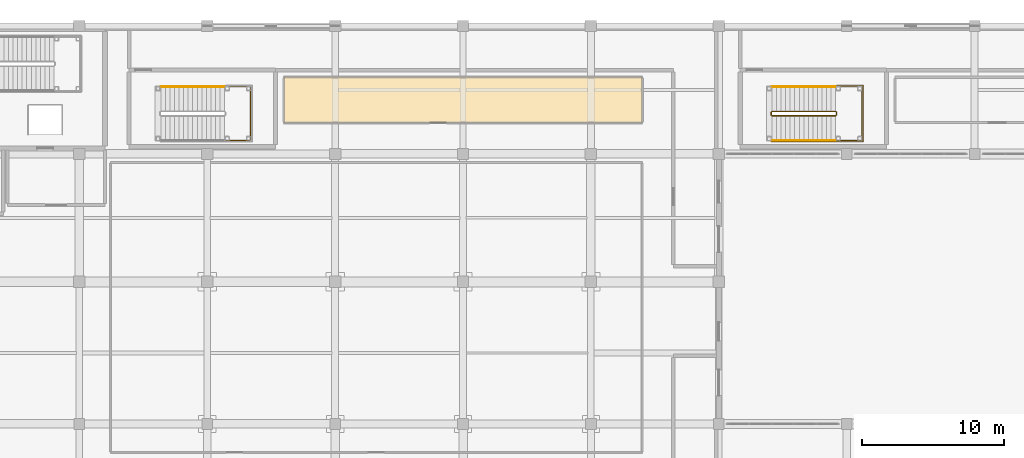
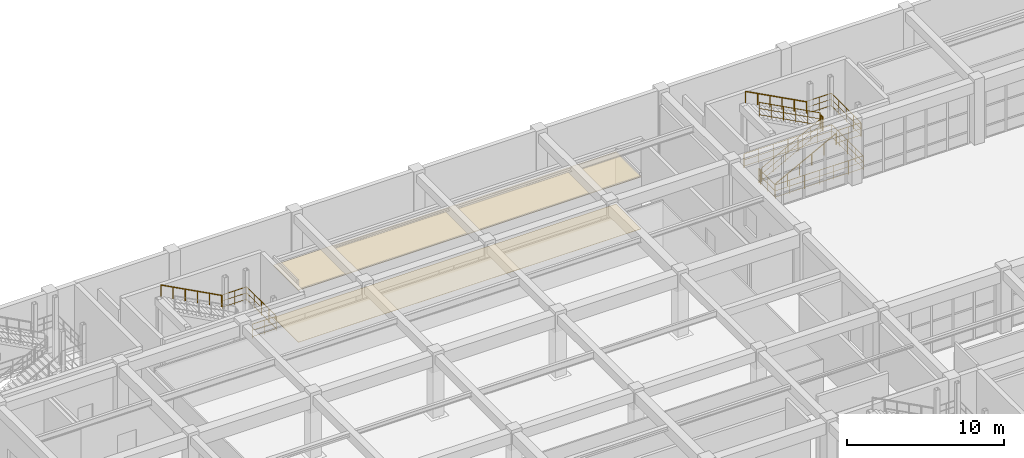
# One storey, part 127 of 128: 10 railings, 2 coverings.
"""IFC4 building model written with IfcOpenShell, lengths in metres."""

from ifc_helpers import new_model, si_unit, direction, frame, origin, origin_2d, place, context, subcontext, project, spatial, polyline, circle, outline, extrude, material, layer, layer_set, type_object, element, save


model = new_model("IFC4")

# Units and contexts
model_context = context("Model", 3, precision=1e-05, world=origin(), true_north=direction((0.0, 1.0)))
body_context = subcontext(model_context, "Body", "Model", "MODEL_VIEW")
ifc_project = project(units=[si_unit("LENGTHUNIT", "METRE"), si_unit("AREAUNIT", "SQUARE_METRE"), si_unit("VOLUMEUNIT", "CUBIC_METRE"), si_unit("PLANEANGLEUNIT", "RADIAN"), si_unit("MASSUNIT", "GRAM", prefix="KILO")], contexts=[model_context])

# Site, building, storey
site_placement = place(None, origin())
site = spatial("IfcSite", under=ifc_project, at=site_placement, CompositionType="ELEMENT")
building_placement = place(site_placement, origin())
building = spatial("IfcBuilding", under=site, at=building_placement, Name="Miravela Opera House", CompositionType="ELEMENT")
storey_placement = place(building_placement, origin())
storey = spatial("IfcBuildingStorey", under=building, at=storey_placement, Name="L00", CompositionType="ELEMENT", Elevation=0.0)

# Coverings
ifc_material_1 = material(Name="Mineral-wool studio acoustic ceiling cloud")
ifc_layer_1 = layer(ifc_material_1, 0.050048828125)
ifc_layer_set_1 = layer_set([ifc_layer_1])
covering_type_1 = type_object("IfcCoveringType", Name="ARC-CEIL-BAFFLE-50", PredefinedType="CEILING", material=ifc_layer_set_1)
covering_1_placement = place(storey_placement, frame((0.0, 0.0, 4.050048828125)))
element("IfcCovering", 1, at=covering_1_placement, inside=storey, type_object=covering_type_1, Name="Percussion and Brass Rehearsal Studio Acoustic Ceiling", PredefinedType="CEILING", context=body_context, shape_type="SweptSolid", body=[
    extrude(outline(polyline([(86.39990234375, 105.199951171875), (111.60009765625, 105.199951171875), (111.60009765625, 108.39990234375), (86.39990234375, 108.39990234375), (86.39990234375, 105.199951171875)])), origin(), (0.0, 0.0, 1.0), 0.050048828125),
])
ifc_material_2 = material(Name="Acoustic oiled mahogany auditorium flooring")
ifc_layer_2 = layer(ifc_material_2, 0.01904296875)
ifc_layer_set_2 = layer_set([ifc_layer_2])
covering_type_2 = type_object("IfcCoveringType", Name="ARC-FLR-HARDWOOD-19", PredefinedType="FLOORING", material=ifc_layer_set_2)
covering_2_placement = place(storey_placement, origin())
element("IfcCovering", 2, at=covering_2_placement, inside=storey, type_object=covering_type_2, Name="Percussion and Brass Rehearsal Studio Finish Flooring", PredefinedType="FLOORING", context=body_context, shape_type="SweptSolid", body=[
    extrude(outline(polyline([(86.39990234375, 105.199951171875), (111.60009765625, 105.199951171875), (111.60009765625, 108.39990234375), (86.39990234375, 108.39990234375), (86.39990234375, 105.199951171875)])), origin(), (0.0, 0.0, 1.0), 0.01904296875),
])

# Railings
ifc_material_3 = material(Name="Brushed bronze continuous stair handrail")
railing_type_1 = type_object("IfcRailingType", Name="ARC-RAIL-HAND-900", PredefinedType="HANDRAIL", material=ifc_material_3)
railing_1_placement = place(storey_placement, frame((82.219970703125, 107.72998046875, 2.719970703125)))
element("IfcRailing", 3, at=railing_1_placement, inside=storey, type_object=railing_type_1, Name="L00 ST-07 stair handrail 2", PredefinedType="HANDRAIL", context=body_context, shape_type="SweptSolid", body=[
    extrude(circle(Radius=0.02392578125, at=origin_2d()), frame((0.0, 0.0, 0.8759765625), z_axis=(-0.883104503341, 0.0, 0.469176338042), x_axis=(0.0, -1.0, 0.0)), (0.0, 0.0, 1.0), 5.072998046875),
    extrude(circle(Radius=0.02099609375, at=origin_2d()), origin(), (0.0, 0.0, 1.0), 0.851806640625),
    extrude(circle(Radius=0.02099609375, at=origin_2d()), frame((-0.89599609375, 0.0, 0.47607421875)), (0.0, 0.0, 1.0), 0.851806640625),
    extrude(circle(Radius=0.02099609375, at=origin_2d()), frame((-1.7919921875, 0.0, 0.9521484375)), (0.0, 0.0, 1.0), 0.851806640625),
    extrude(circle(Radius=0.02099609375, at=origin_2d()), frame((-2.68798828125, 0.0, 1.427978515625)), (0.0, 0.0, 1.0), 0.851806640625),
    extrude(circle(Radius=0.02099609375, at=origin_2d()), frame((-3.583984375, 0.0, 1.904052734375)), (0.0, 0.0, 1.0), 0.851806640625),
    extrude(circle(Radius=0.02099609375, at=origin_2d()), frame((-4.47998046875, 0.0, 2.380126953125)), (0.0, 0.0, 1.0), 0.851806640625),
])
railing_2_placement = place(storey_placement, frame((120.739990234375, 103.949951171875, 0.169921875)))
element("IfcRailing", 4, at=railing_2_placement, inside=storey, type_object=railing_type_1, Name="L00 ST-09 stair handrail 1", PredefinedType="HANDRAIL", context=body_context, shape_type="SweptSolid", body=[
    extrude(circle(Radius=0.02392578125, at=origin_2d()), frame((0.0, 0.0, 0.8759765625), z_axis=(0.883104503341, 0.0, 0.469176338042), x_axis=(0.0, 1.0, 0.0)), (0.0, 0.0, 1.0), 5.072998046875),
    extrude(circle(Radius=0.02099609375, at=origin_2d()), origin(), (0.0, 0.0, 1.0), 0.851806640625),
    extrude(circle(Radius=0.02099609375, at=origin_2d()), frame((0.89599609375, 0.0, 0.47607421875)), (0.0, 0.0, 1.0), 0.851806640625),
    extrude(circle(Radius=0.02099609375, at=origin_2d()), frame((1.7919921875, 0.0, 0.9521484375)), (0.0, 0.0, 1.0), 0.851806640625),
    extrude(circle(Radius=0.02099609375, at=origin_2d()), frame((2.68798828125, 0.0, 1.427978515625)), (0.0, 0.0, 1.0), 0.851806640625),
    extrude(circle(Radius=0.02099609375, at=origin_2d()), frame((3.583984375, 0.0, 1.904052734375)), (0.0, 0.0, 1.0), 0.851806640625),
    extrude(circle(Radius=0.02099609375, at=origin_2d()), frame((4.47998046875, 0.0, 2.380126953125)), (0.0, 0.0, 1.0), 0.851806640625),
])
railing_3_placement = place(storey_placement, frame((125.219970703125, 107.72998046875, 2.719970703125)))
element("IfcRailing", 5, at=railing_3_placement, inside=storey, type_object=railing_type_1, Name="L00 ST-09 stair handrail 2", PredefinedType="HANDRAIL", context=body_context, shape_type="SweptSolid", body=[
    extrude(circle(Radius=0.02392578125, at=origin_2d()), frame((0.0, 0.0, 0.8759765625), z_axis=(-0.883104503341, 0.0, 0.469176338042), x_axis=(0.0, -1.0, 0.0)), (0.0, 0.0, 1.0), 5.072998046875),
    extrude(circle(Radius=0.02099609375, at=origin_2d()), origin(), (0.0, 0.0, 1.0), 0.851806640625),
    extrude(circle(Radius=0.02099609375, at=origin_2d()), frame((-0.89599609375, 0.0, 0.47607421875)), (0.0, 0.0, 1.0), 0.851806640625),
    extrude(circle(Radius=0.02099609375, at=origin_2d()), frame((-1.7919921875, 0.0, 0.9521484375)), (0.0, 0.0, 1.0), 0.851806640625),
    extrude(circle(Radius=0.02099609375, at=origin_2d()), frame((-2.68798828125, 0.0, 1.427978515625)), (0.0, 0.0, 1.0), 0.851806640625),
    extrude(circle(Radius=0.02099609375, at=origin_2d()), frame((-3.583984375, 0.0, 1.904052734375)), (0.0, 0.0, 1.0), 0.851806640625),
    extrude(circle(Radius=0.02099609375, at=origin_2d()), frame((-4.47998046875, 0.0, 2.380126953125)), (0.0, 0.0, 1.0), 0.851806640625),
])
ifc_material_4 = material(Name="Painted wrought-iron stair guardrail")
railing_type_2 = type_object("IfcRailingType", Name="ARC-RAIL-STAIR-GUARD", PredefinedType="GUARDRAIL", material=ifc_material_4)
railing_4_placement = place(storey_placement, frame((82.27001953125, 103.949951171875, 2.550048828125)))
element("IfcRailing", 6, at=railing_4_placement, inside=storey, type_object=railing_type_2, Name="Stair ST-07 Half-Landing Perimeter Guard (L00) 0068", PredefinedType="GUARDRAIL", context=body_context, shape_type="SweptSolid", body=[
    extrude(circle(Radius=0.02392578125, at=origin_2d()), frame((0.0, 0.0, 1.076171875), z_axis=(1.0, 0.0, 0.0), x_axis=(0.0, 1.0, 0.0)), (0.0, 0.0, 1.0), 1.780029296875),
    extrude(circle(Radius=0.01611328125, at=origin_2d()), frame((0.0, 0.0, 0.60498046875), z_axis=(1.0, 0.0, 0.0), x_axis=(0.0, 1.0, 0.0)), (0.0, 0.0, 1.0), 1.780029296875),
    extrude(circle(Radius=0.01611328125, at=origin_2d()), frame((0.0, 0.0, 0.1201171875), z_axis=(1.0, 0.0, 0.0), x_axis=(0.0, 1.0, 0.0)), (0.0, 0.0, 1.0), 1.780029296875),
    extrude(circle(Radius=0.02392578125, at=origin_2d()), frame((1.780029296875, 0.0, 1.076171875), z_axis=(0.0, 1.0, 0.0), x_axis=(-1.0, 0.0, 0.0)), (0.0, 0.0, 1.0), 3.780029296875),
    extrude(circle(Radius=0.01611328125, at=origin_2d()), frame((1.780029296875, 0.0, 0.60498046875), z_axis=(0.0, 1.0, 0.0), x_axis=(-1.0, 0.0, 0.0)), (0.0, 0.0, 1.0), 3.780029296875),
    extrude(circle(Radius=0.01611328125, at=origin_2d()), frame((1.780029296875, 0.0, 0.1201171875), z_axis=(0.0, 1.0, 0.0), x_axis=(-1.0, 0.0, 0.0)), (0.0, 0.0, 1.0), 3.780029296875),
    extrude(circle(Radius=0.02392578125, at=origin_2d()), frame((1.780029296875, 3.780029296875, 1.076171875), z_axis=(-1.0, 0.0, 0.0), x_axis=(0.0, -1.0, 0.0)), (0.0, 0.0, 1.0), 1.780029296875),
    extrude(circle(Radius=0.01611328125, at=origin_2d()), frame((1.780029296875, 3.780029296875, 0.60498046875), z_axis=(-1.0, 0.0, 0.0), x_axis=(0.0, -1.0, 0.0)), (0.0, 0.0, 1.0), 1.780029296875),
    extrude(circle(Radius=0.01611328125, at=origin_2d()), frame((1.780029296875, 3.780029296875, 0.1201171875), z_axis=(-1.0, 0.0, 0.0), x_axis=(0.0, -1.0, 0.0)), (0.0, 0.0, 1.0), 1.780029296875),
    extrude(circle(Radius=0.02099609375, at=origin_2d()), origin(), (0.0, 0.0, 1.0), 1.052001953125),
    extrude(circle(Radius=0.02099609375, at=origin_2d()), frame((0.89013671875, 0.0, 0.0)), (0.0, 0.0, 1.0), 1.052001953125),
    extrude(circle(Radius=0.02099609375, at=origin_2d()), frame((1.780029296875, 0.0, 0.0)), (0.0, 0.0, 1.0), 1.052001953125),
    extrude(circle(Radius=0.02099609375, at=origin_2d()), frame((1.780029296875, 0.945068359375, 0.0)), (0.0, 0.0, 1.0), 1.052001953125),
    extrude(circle(Radius=0.02099609375, at=origin_2d()), frame((1.780029296875, 1.89013671875, 0.0)), (0.0, 0.0, 1.0), 1.052001953125),
    extrude(circle(Radius=0.02099609375, at=origin_2d()), frame((1.780029296875, 2.8349609375, 0.0)), (0.0, 0.0, 1.0), 1.052001953125),
    extrude(circle(Radius=0.02099609375, at=origin_2d()), frame((1.780029296875, 3.780029296875, 0.0)), (0.0, 0.0, 1.0), 1.052001953125),
    extrude(circle(Radius=0.02099609375, at=origin_2d()), frame((0.89013671875, 3.780029296875, 0.0)), (0.0, 0.0, 1.0), 1.052001953125),
    extrude(circle(Radius=0.02099609375, at=origin_2d()), frame((0.0, 3.780029296875, 0.0)), (0.0, 0.0, 1.0), 1.052001953125),
])
railing_5_placement = place(storey_placement, frame((120.739990234375, 105.68994140625, 0.169921875)))
element("IfcRailing", 7, at=railing_5_placement, inside=storey, type_object=railing_type_2, Name="L00 ST-09 stair guard 1", PredefinedType="GUARDRAIL", context=body_context, shape_type="SweptSolid", body=[
    extrude(circle(Radius=0.02392578125, at=origin_2d()), frame((0.0, 0.0, 1.076171875), z_axis=(0.883104503341, 0.0, 0.469176338042), x_axis=(0.0, 1.0, 0.0)), (0.0, 0.0, 1.0), 5.072998046875),
    extrude(circle(Radius=0.01611328125, at=origin_2d()), frame((0.0, 0.0, 0.60498046875), z_axis=(0.883104503341, 0.0, 0.469176338042), x_axis=(0.0, 1.0, 0.0)), (0.0, 0.0, 1.0), 5.072998046875),
    extrude(circle(Radius=0.01611328125, at=origin_2d()), frame((0.0, 0.0, 0.1201171875), z_axis=(0.883104503341, 0.0, 0.469176338042), x_axis=(0.0, 1.0, 0.0)), (0.0, 0.0, 1.0), 5.072998046875),
    extrude(circle(Radius=0.02099609375, at=origin_2d()), origin(), (0.0, 0.0, 1.0), 1.052001953125),
    extrude(circle(Radius=0.02099609375, at=origin_2d()), frame((0.89599609375, 0.0, 0.47607421875)), (0.0, 0.0, 1.0), 1.052001953125),
    extrude(circle(Radius=0.02099609375, at=origin_2d()), frame((1.7919921875, 0.0, 0.9521484375)), (0.0, 0.0, 1.0), 1.052001953125),
    extrude(circle(Radius=0.02099609375, at=origin_2d()), frame((2.68798828125, 0.0, 1.427978515625)), (0.0, 0.0, 1.0), 1.052001953125),
    extrude(circle(Radius=0.02099609375, at=origin_2d()), frame((3.583984375, 0.0, 1.904052734375)), (0.0, 0.0, 1.0), 1.052001953125),
    extrude(circle(Radius=0.02099609375, at=origin_2d()), frame((4.47998046875, 0.0, 2.380126953125)), (0.0, 0.0, 1.0), 1.052001953125),
])
railing_6_placement = place(storey_placement, frame((125.27001953125, 105.739990234375, 2.550048828125)))
element("IfcRailing", 8, at=railing_6_placement, inside=storey, type_object=railing_type_2, Name="L00 ST-09 stair guard 2", PredefinedType="GUARDRAIL", context=body_context, shape_type="SweptSolid", body=[
    extrude(circle(Radius=0.02392578125, at=origin_2d()), frame((0.0, 0.0, 1.076171875), z_axis=(0.0, 1.0, 0.0), x_axis=(-1.0, 0.0, 0.0)), (0.0, 0.0, 1.0), 0.199951171875),
    extrude(circle(Radius=0.01611328125, at=origin_2d()), frame((0.0, 0.0, 0.60498046875), z_axis=(0.0, 1.0, 0.0), x_axis=(-1.0, 0.0, 0.0)), (0.0, 0.0, 1.0), 0.199951171875),
    extrude(circle(Radius=0.01611328125, at=origin_2d()), frame((0.0, 0.0, 0.1201171875), z_axis=(0.0, 1.0, 0.0), x_axis=(-1.0, 0.0, 0.0)), (0.0, 0.0, 1.0), 0.199951171875),
    extrude(circle(Radius=0.02099609375, at=origin_2d()), origin(), (0.0, 0.0, 1.0), 1.052001953125),
    extrude(circle(Radius=0.02099609375, at=origin_2d()), frame((0.0, 0.199951171875, 0.0)), (0.0, 0.0, 1.0), 1.052001953125),
])
railing_7_placement = place(storey_placement, frame((125.219970703125, 105.989990234375, 2.719970703125)))
element("IfcRailing", 9, at=railing_7_placement, inside=storey, type_object=railing_type_2, Name="L00 ST-09 stair guard 3", PredefinedType="GUARDRAIL", context=body_context, shape_type="SweptSolid", body=[
    extrude(circle(Radius=0.02392578125, at=origin_2d()), frame((0.0, 0.0, 1.076171875), z_axis=(-0.883104503341, 0.0, 0.469176338042), x_axis=(0.0, -1.0, 0.0)), (0.0, 0.0, 1.0), 5.072998046875),
    extrude(circle(Radius=0.01611328125, at=origin_2d()), frame((0.0, 0.0, 0.60498046875), z_axis=(-0.883104503341, 0.0, 0.469176338042), x_axis=(0.0, -1.0, 0.0)), (0.0, 0.0, 1.0), 5.072998046875),
    extrude(circle(Radius=0.01611328125, at=origin_2d()), frame((0.0, 0.0, 0.1201171875), z_axis=(-0.883104503341, 0.0, 0.469176338042), x_axis=(0.0, -1.0, 0.0)), (0.0, 0.0, 1.0), 5.072998046875),
    extrude(circle(Radius=0.02099609375, at=origin_2d()), origin(), (0.0, 0.0, 1.0), 1.052001953125),
    extrude(circle(Radius=0.02099609375, at=origin_2d()), frame((-0.89599609375, 0.0, 0.47607421875)), (0.0, 0.0, 1.0), 1.052001953125),
    extrude(circle(Radius=0.02099609375, at=origin_2d()), frame((-1.7919921875, 0.0, 0.9521484375)), (0.0, 0.0, 1.0), 1.052001953125),
    extrude(circle(Radius=0.02099609375, at=origin_2d()), frame((-2.68798828125, 0.0, 1.427978515625)), (0.0, 0.0, 1.0), 1.052001953125),
    extrude(circle(Radius=0.02099609375, at=origin_2d()), frame((-3.583984375, 0.0, 1.904052734375)), (0.0, 0.0, 1.0), 1.052001953125),
    extrude(circle(Radius=0.02099609375, at=origin_2d()), frame((-4.47998046875, 0.0, 2.380126953125)), (0.0, 0.0, 1.0), 1.052001953125),
])
railing_8_placement = place(storey_placement, frame((120.68994140625, 105.739990234375, 0.0)))
element("IfcRailing", 10, at=railing_8_placement, inside=storey, type_object=railing_type_2, Name="L00 ST-09 stair guard 4", PredefinedType="GUARDRAIL", context=body_context, shape_type="SweptSolid", body=[
    extrude(circle(Radius=0.02392578125, at=origin_2d()), frame((0.0, 0.0, 1.076171875), z_axis=(0.0, 1.0, 0.0), x_axis=(-1.0, 0.0, 0.0)), (0.0, 0.0, 1.0), 0.199951171875),
    extrude(circle(Radius=0.01611328125, at=origin_2d()), frame((0.0, 0.0, 0.60498046875), z_axis=(0.0, 1.0, 0.0), x_axis=(-1.0, 0.0, 0.0)), (0.0, 0.0, 1.0), 0.199951171875),
    extrude(circle(Radius=0.01611328125, at=origin_2d()), frame((0.0, 0.0, 0.1201171875), z_axis=(0.0, 1.0, 0.0), x_axis=(-1.0, 0.0, 0.0)), (0.0, 0.0, 1.0), 0.199951171875),
    extrude(circle(Radius=0.02099609375, at=origin_2d()), origin(), (0.0, 0.0, 1.0), 1.052001953125),
    extrude(circle(Radius=0.02099609375, at=origin_2d()), frame((0.0, 0.199951171875, 0.0)), (0.0, 0.0, 1.0), 1.052001953125),
])
railing_9_placement = place(storey_placement, frame((125.27001953125, 103.949951171875, 2.550048828125)))
element("IfcRailing", 11, at=railing_9_placement, inside=storey, type_object=railing_type_2, Name="Stair ST-09 Half-Landing Perimeter Guard (L00) 0082", PredefinedType="GUARDRAIL", context=body_context, shape_type="SweptSolid", body=[
    extrude(circle(Radius=0.02392578125, at=origin_2d()), frame((0.0, 0.0, 1.076171875), z_axis=(1.0, 0.0, 0.0), x_axis=(0.0, 1.0, 0.0)), (0.0, 0.0, 1.0), 1.780029296875),
    extrude(circle(Radius=0.01611328125, at=origin_2d()), frame((0.0, 0.0, 0.60498046875), z_axis=(1.0, 0.0, 0.0), x_axis=(0.0, 1.0, 0.0)), (0.0, 0.0, 1.0), 1.780029296875),
    extrude(circle(Radius=0.01611328125, at=origin_2d()), frame((0.0, 0.0, 0.1201171875), z_axis=(1.0, 0.0, 0.0), x_axis=(0.0, 1.0, 0.0)), (0.0, 0.0, 1.0), 1.780029296875),
    extrude(circle(Radius=0.02392578125, at=origin_2d()), frame((1.780029296875, 0.0, 1.076171875), z_axis=(0.0, 1.0, 0.0), x_axis=(-1.0, 0.0, 0.0)), (0.0, 0.0, 1.0), 3.780029296875),
    extrude(circle(Radius=0.01611328125, at=origin_2d()), frame((1.780029296875, 0.0, 0.60498046875), z_axis=(0.0, 1.0, 0.0), x_axis=(-1.0, 0.0, 0.0)), (0.0, 0.0, 1.0), 3.780029296875),
    extrude(circle(Radius=0.01611328125, at=origin_2d()), frame((1.780029296875, 0.0, 0.1201171875), z_axis=(0.0, 1.0, 0.0), x_axis=(-1.0, 0.0, 0.0)), (0.0, 0.0, 1.0), 3.780029296875),
    extrude(circle(Radius=0.02392578125, at=origin_2d()), frame((1.780029296875, 3.780029296875, 1.076171875), z_axis=(-1.0, 0.0, 0.0), x_axis=(0.0, -1.0, 0.0)), (0.0, 0.0, 1.0), 1.780029296875),
    extrude(circle(Radius=0.01611328125, at=origin_2d()), frame((1.780029296875, 3.780029296875, 0.60498046875), z_axis=(-1.0, 0.0, 0.0), x_axis=(0.0, -1.0, 0.0)), (0.0, 0.0, 1.0), 1.780029296875),
    extrude(circle(Radius=0.01611328125, at=origin_2d()), frame((1.780029296875, 3.780029296875, 0.1201171875), z_axis=(-1.0, 0.0, 0.0), x_axis=(0.0, -1.0, 0.0)), (0.0, 0.0, 1.0), 1.780029296875),
    extrude(circle(Radius=0.02099609375, at=origin_2d()), origin(), (0.0, 0.0, 1.0), 1.052001953125),
    extrude(circle(Radius=0.02099609375, at=origin_2d()), frame((0.89013671875, 0.0, 0.0)), (0.0, 0.0, 1.0), 1.052001953125),
    extrude(circle(Radius=0.02099609375, at=origin_2d()), frame((1.780029296875, 0.0, 0.0)), (0.0, 0.0, 1.0), 1.052001953125),
    extrude(circle(Radius=0.02099609375, at=origin_2d()), frame((1.780029296875, 0.945068359375, 0.0)), (0.0, 0.0, 1.0), 1.052001953125),
    extrude(circle(Radius=0.02099609375, at=origin_2d()), frame((1.780029296875, 1.89013671875, 0.0)), (0.0, 0.0, 1.0), 1.052001953125),
    extrude(circle(Radius=0.02099609375, at=origin_2d()), frame((1.780029296875, 2.8349609375, 0.0)), (0.0, 0.0, 1.0), 1.052001953125),
    extrude(circle(Radius=0.02099609375, at=origin_2d()), frame((1.780029296875, 3.780029296875, 0.0)), (0.0, 0.0, 1.0), 1.052001953125),
    extrude(circle(Radius=0.02099609375, at=origin_2d()), frame((0.89013671875, 3.780029296875, 0.0)), (0.0, 0.0, 1.0), 1.052001953125),
    extrude(circle(Radius=0.02099609375, at=origin_2d()), frame((0.0, 3.780029296875, 0.0)), (0.0, 0.0, 1.0), 1.052001953125),
])
railing_10_placement = place(storey_placement, frame((120.68994140625, 105.77001953125, 0.0)))
element("IfcRailing", 12, at=railing_10_placement, inside=storey, type_object=railing_type_2, Name="Stair ST-09 Well Slab Opening Guard (L00) 0084", PredefinedType="GUARDRAIL", context=body_context, shape_type="SweptSolid", body=[
    extrude(circle(Radius=0.02392578125, at=origin_2d()), frame((0.0, 0.0, 1.076171875), z_axis=(0.0, -1.0, 0.0), x_axis=(1.0, 0.0, 0.0)), (0.0, 0.0, 1.0), 1.919921875),
    extrude(circle(Radius=0.01611328125, at=origin_2d()), frame((0.0, 0.0, 0.60498046875), z_axis=(0.0, -1.0, 0.0), x_axis=(1.0, 0.0, 0.0)), (0.0, 0.0, 1.0), 1.919921875),
    extrude(circle(Radius=0.01611328125, at=origin_2d()), frame((0.0, 0.0, 0.1201171875), z_axis=(0.0, -1.0, 0.0), x_axis=(1.0, 0.0, 0.0)), (0.0, 0.0, 1.0), 1.919921875),
    extrude(circle(Radius=0.02392578125, at=origin_2d()), frame((0.0, -1.919921875, 1.076171875), z_axis=(1.0, 0.0, 0.0), x_axis=(0.0, 1.0, 0.0)), (0.0, 0.0, 1.0), 6.4599609375),
    extrude(circle(Radius=0.01611328125, at=origin_2d()), frame((0.0, -1.919921875, 0.60498046875), z_axis=(1.0, 0.0, 0.0), x_axis=(0.0, 1.0, 0.0)), (0.0, 0.0, 1.0), 6.4599609375),
    extrude(circle(Radius=0.01611328125, at=origin_2d()), frame((0.0, -1.919921875, 0.1201171875), z_axis=(1.0, 0.0, 0.0), x_axis=(0.0, 1.0, 0.0)), (0.0, 0.0, 1.0), 6.4599609375),
    extrude(circle(Radius=0.02392578125, at=origin_2d()), frame((6.4599609375, -1.919921875, 1.076171875), z_axis=(0.0, 1.0, 0.0), x_axis=(-1.0, 0.0, 0.0)), (0.0, 0.0, 1.0), 3.97998046875),
    extrude(circle(Radius=0.01611328125, at=origin_2d()), frame((6.4599609375, -1.919921875, 0.60498046875), z_axis=(0.0, 1.0, 0.0), x_axis=(-1.0, 0.0, 0.0)), (0.0, 0.0, 1.0), 3.97998046875),
    extrude(circle(Radius=0.01611328125, at=origin_2d()), frame((6.4599609375, -1.919921875, 0.1201171875), z_axis=(0.0, 1.0, 0.0), x_axis=(-1.0, 0.0, 0.0)), (0.0, 0.0, 1.0), 3.97998046875),
    extrude(circle(Radius=0.02392578125, at=origin_2d()), frame((6.4599609375, 2.06005859375, 1.076171875), z_axis=(-1.0, 0.0, 0.0), x_axis=(0.0, -1.0, 0.0)), (0.0, 0.0, 1.0), 6.4599609375),
    extrude(circle(Radius=0.01611328125, at=origin_2d()), frame((6.4599609375, 2.06005859375, 0.60498046875), z_axis=(-1.0, 0.0, 0.0), x_axis=(0.0, -1.0, 0.0)), (0.0, 0.0, 1.0), 6.4599609375),
    extrude(circle(Radius=0.01611328125, at=origin_2d()), frame((6.4599609375, 2.06005859375, 0.1201171875), z_axis=(-1.0, 0.0, 0.0), x_axis=(0.0, -1.0, 0.0)), (0.0, 0.0, 1.0), 6.4599609375),
    extrude(circle(Radius=0.02099609375, at=origin_2d()), origin(), (0.0, 0.0, 1.0), 1.052001953125),
    extrude(circle(Radius=0.02099609375, at=origin_2d()), frame((0.0, -0.9599609375, 0.0)), (0.0, 0.0, 1.0), 1.052001953125),
    extrude(circle(Radius=0.02099609375, at=origin_2d()), frame((0.0, -1.919921875, 0.0)), (0.0, 0.0, 1.0), 1.052001953125),
    extrude(circle(Radius=0.02099609375, at=origin_2d()), frame((1.07666015625, -1.919921875, 0.0)), (0.0, 0.0, 1.0), 1.052001953125),
    extrude(circle(Radius=0.02099609375, at=origin_2d()), frame((2.1533203125, -1.919921875, 0.0)), (0.0, 0.0, 1.0), 1.052001953125),
    extrude(circle(Radius=0.02099609375, at=origin_2d()), frame((3.22998046875, -1.919921875, 0.0)), (0.0, 0.0, 1.0), 1.052001953125),
    extrude(circle(Radius=0.02099609375, at=origin_2d()), frame((4.306640625, -1.919921875, 0.0)), (0.0, 0.0, 1.0), 1.052001953125),
    extrude(circle(Radius=0.02099609375, at=origin_2d()), frame((5.38330078125, -1.919921875, 0.0)), (0.0, 0.0, 1.0), 1.052001953125),
    extrude(circle(Radius=0.02099609375, at=origin_2d()), frame((6.4599609375, -1.919921875, 0.0)), (0.0, 0.0, 1.0), 1.052001953125),
    extrude(circle(Radius=0.02099609375, at=origin_2d()), frame((6.4599609375, -0.9248046875, 0.0)), (0.0, 0.0, 1.0), 1.052001953125),
    extrude(circle(Radius=0.02099609375, at=origin_2d()), frame((6.4599609375, 0.070068359375, 0.0)), (0.0, 0.0, 1.0), 1.052001953125),
    extrude(circle(Radius=0.02099609375, at=origin_2d()), frame((6.4599609375, 1.06494140625, 0.0)), (0.0, 0.0, 1.0), 1.052001953125),
    extrude(circle(Radius=0.02099609375, at=origin_2d()), frame((6.4599609375, 2.06005859375, 0.0)), (0.0, 0.0, 1.0), 1.052001953125),
    extrude(circle(Radius=0.02099609375, at=origin_2d()), frame((5.38330078125, 2.06005859375, 0.0)), (0.0, 0.0, 1.0), 1.052001953125),
    extrude(circle(Radius=0.02099609375, at=origin_2d()), frame((4.306640625, 2.06005859375, 0.0)), (0.0, 0.0, 1.0), 1.052001953125),
    extrude(circle(Radius=0.02099609375, at=origin_2d()), frame((3.22998046875, 2.06005859375, 0.0)), (0.0, 0.0, 1.0), 1.052001953125),
    extrude(circle(Radius=0.02099609375, at=origin_2d()), frame((2.1533203125, 2.06005859375, 0.0)), (0.0, 0.0, 1.0), 1.052001953125),
    extrude(circle(Radius=0.02099609375, at=origin_2d()), frame((1.07666015625, 2.06005859375, 0.0)), (0.0, 0.0, 1.0), 1.052001953125),
    extrude(circle(Radius=0.02099609375, at=origin_2d()), frame((0.0, 2.06005859375, 0.0)), (0.0, 0.0, 1.0), 1.052001953125),
])

save(model, "model.ifc")
